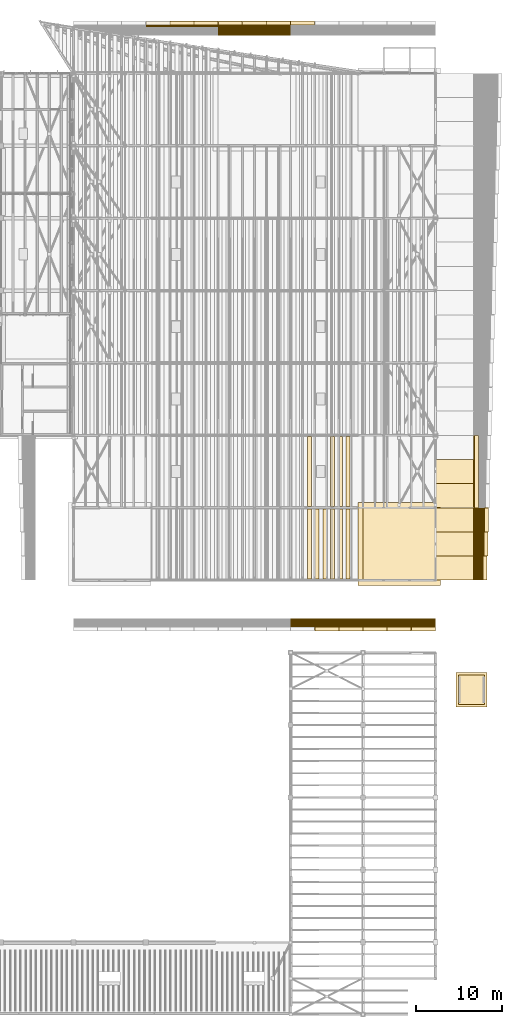
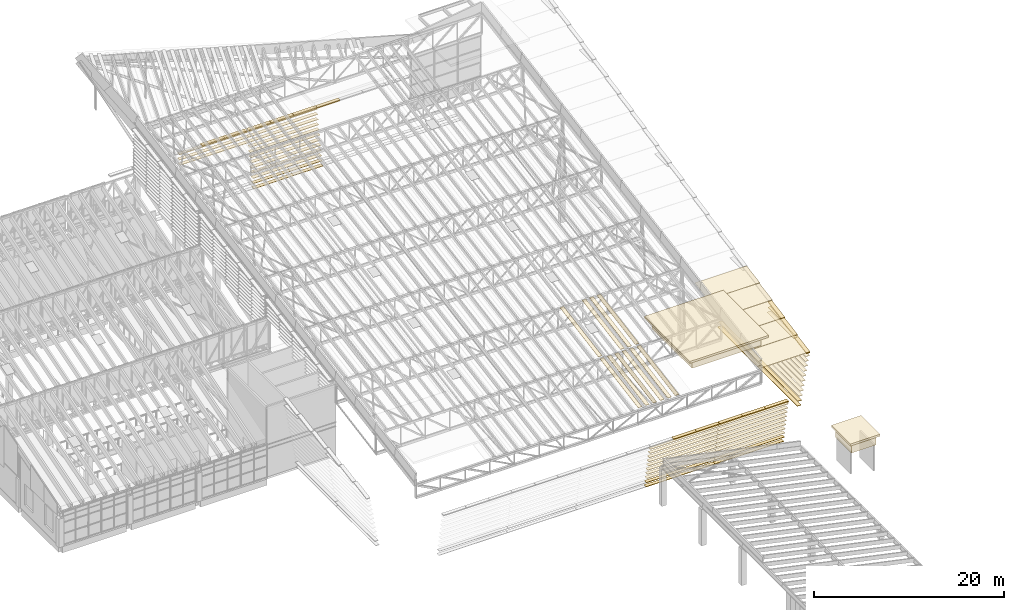
# One storey, part 87 of 91: 83 coverings.
"""IFC4 building model written with IfcOpenShell, lengths in metres."""

from ifc_helpers import new_model, si_unit, direction, frame, origin, origin_2d, place, context, subcontext, project, spatial, polyline, rectangle, outline, extrude, material, layer, layer_set, material_profile, profile_set, type_object, element, save


model = new_model("IFC4")

# Units and contexts
model_context = context("Model", 3, precision=1e-05, world=origin(), true_north=direction((0.0, 1.0)))
body_context = subcontext(model_context, "Body", "Model", "MODEL_VIEW")
ifc_project = project(units=[si_unit("LENGTHUNIT", "METRE"), si_unit("AREAUNIT", "SQUARE_METRE"), si_unit("VOLUMEUNIT", "CUBIC_METRE"), si_unit("PLANEANGLEUNIT", "RADIAN"), si_unit("MASSUNIT", "GRAM", prefix="KILO")], contexts=[model_context])

# Site, building, storey
site_placement = place(None, origin())
site = spatial("IfcSite", under=ifc_project, at=site_placement, CompositionType="ELEMENT")
building_placement = place(site_placement, origin())
building = spatial("IfcBuilding", under=site, at=building_placement, Name="Almond Square Museum", CompositionType="ELEMENT")
storey_placement = place(building_placement, frame((0.0, 0.0, 30.0)))
storey = spatial("IfcBuildingStorey", under=building, at=storey_placement, Name="L05", CompositionType="ELEMENT", Elevation=30.0)

# Coverings
ifc_material_1 = material(Name="Cedar timber roof board", Category="wood")
ifc_layer_1 = layer(ifc_material_1, 0.0400390625)
ifc_layer_set_1 = layer_set([ifc_layer_1], Name="Cedar timber roof board")
covering_type_1 = type_object("IfcCoveringType", Name="Hall roof board 450 x 40", PredefinedType="CLADDING", material=ifc_layer_set_1)
for number, where, z_axis, x_axis, name in (
    (1, (134.39990234375, 58.64990234375, 7.943603515625), (0.0, -0.172352243822, 0.985035382131), (-1.0, 0.0, 0.0), "Hall roof board"),
    (2, (135.300048828125, 58.64990234375, 7.943603515625), (0.0, -0.172352243822, 0.985035382131), (-1.0, 0.0, 0.0), "Hall roof board"),
    (3, (136.199951171875, 58.64990234375, 7.943603515625), (0.0, -0.172352243822, 0.985035382131), (-1.0, 0.0, 0.0), "Hall roof board"),
):
    element("IfcCovering", number, at=place(storey_placement, frame(where, z_axis=z_axis, x_axis=x_axis)), inside=storey, type_object=covering_type_1, Name=name, PredefinedType="CLADDING", context=body_context, shape_type="SweptSolid", body=[
        extrude(outline(polyline([(0.0, 0.0), (0.449951171875, 0.0), (0.449951171875, 8.222906164145368), (0.0, 8.222906164145368), (0.0, 0.0)])), origin(), (0.0, 0.0, 1.0), 0.0400390625),
    ])
covering_1_placement = place(storey_placement, frame((137.10009765625, 58.64990234375, 7.94384765625), z_axis=(-0.00026709133, -0.172366641793, 0.98503282659), x_axis=(-0.999999959962, -4.6037631e-05, -0.00027920559)))
element("IfcCovering", 4, at=covering_1_placement, inside=storey, type_object=covering_type_1, Name="Hall roof board", PredefinedType="CLADDING", context=body_context, shape_type="SweptSolid", body=[
    extrude(outline(polyline([(0.0, 0.0), (0.4501953626406814, 6.776263578034403e-21), (0.4509639610094746, 8.22290612734561), (0.0007686665342204885, 8.22294820904058), (0.0, 0.0)])), origin(), (0.0, 0.0, 1.0), 0.0400390625),
])
for number, where, z_axis, x_axis, name in (
    (5, (138.0, 58.64990234375, 7.94384765625), (0.0, -0.17238105195, 0.985030341121), (-1.0, 0.0, 0.0), "Hall roof board"),
    (6, (138.89990234375, 58.64990234375, 7.94384765625), (0.0, -0.17238105195, 0.985030341121), (-1.0, 0.0, 0.0), "Hall roof board"),
):
    element("IfcCovering", number, at=place(storey_placement, frame(where, z_axis=z_axis, x_axis=x_axis)), inside=storey, type_object=covering_type_1, Name=name, PredefinedType="CLADDING", context=body_context, shape_type="SweptSolid", body=[
        extrude(outline(polyline([(0.0, 0.0), (0.449951171875, 0.0), (0.449951171875, 8.22294824584652), (0.0, 8.22294824584652), (0.0, 0.0)])), origin(), (0.0, 0.0, 1.0), 0.0400390625),
    ])
covering_2_placement = place(storey_placement, frame((134.39990234375, 67.050048828125, 9.413818359375), z_axis=(0.0, -0.17237601069, 0.985031223332), x_axis=(-1.0, 0.0, 0.0)))
element("IfcCovering", 7, at=covering_2_placement, inside=storey, type_object=covering_type_1, Name="Hall roof board", PredefinedType="CLADDING", context=body_context, shape_type="SweptSolid", body=[
    extrude(outline(polyline([(0.0, 0.0), (0.449951171875, 0.0), (0.449951171875, 8.223188731877341), (0.0, 8.223188731877341), (0.0, 0.0)])), origin(), (0.0, 0.0, 1.0), 0.0400390625),
])
covering_3_placement = place(storey_placement, frame((137.10009765625, 67.050048828125, 9.413818359375), z_axis=(0.0, -0.17237601069, 0.985031223332), x_axis=(-1.0, 0.0, 0.0)))
element("IfcCovering", 8, at=covering_3_placement, inside=storey, type_object=covering_type_1, Name="Hall roof board", PredefinedType="CLADDING", context=body_context, shape_type="SweptSolid", body=[
    extrude(outline(polyline([(0.0, 0.0), (0.4501953125, 0.0), (0.4501953125, 8.223188731877341), (0.0, 8.223188731877341), (0.0, 0.0)])), origin(), (0.0, 0.0, 1.0), 0.0400390625),
])
for number, where, z_axis, x_axis, name in (
    (9, (138.0, 67.050048828125, 9.413818359375), (0.0, -0.17237601069, 0.985031223332), (-1.0, 0.0, 0.0), "Hall roof board"),
    (10, (138.89990234375, 67.050048828125, 9.413818359375), (0.0, -0.17237601069, 0.985031223332), (-1.0, 0.0, 0.0), "Hall roof board"),
):
    element("IfcCovering", number, at=place(storey_placement, frame(where, z_axis=z_axis, x_axis=x_axis)), inside=storey, type_object=covering_type_1, Name=name, PredefinedType="CLADDING", context=body_context, shape_type="SweptSolid", body=[
        extrude(outline(polyline([(0.0, 0.0), (0.449951171875, 0.0), (0.449951171875, 8.223188731877341), (0.0, 8.223188731877341), (0.0, 0.0)])), origin(), (0.0, 0.0, 1.0), 0.0400390625),
    ])
ifc_material_2 = material(Name="Steel S355 deck with zinc standing seam", Category="steel")
ifc_layer_2 = layer(ifc_material_2, 0.25)
ifc_layer_set_2 = layer_set([ifc_layer_2], Name="Steel S355 deck with zinc standing seam")
covering_type_2 = type_object("IfcCoveringType", Name="Head house cap, steel and zinc", PredefinedType="CLADDING", material=ifc_layer_set_2)
covering_4_placement = place(storey_placement, frame((153.0, 37.699951171875, 4.612548828125), z_axis=(0.0, 0.0, 1.0), x_axis=(1.0, 0.0, 0.0)))
element("IfcCovering", 11, at=covering_4_placement, inside=storey, type_object=covering_type_2, Name="Head house roof cap X1", PredefinedType="CLADDING", context=body_context, shape_type="SweptSolid", body=[
    extrude(rectangle(XDim=3.60009765625, YDim=4.0, at=origin_2d()), origin(), (0.0, 0.0, 1.0), 0.25),
])
ifc_material_3 = material(Name="Timber deck and zinc standing seam", Category="wood")
ifc_layer_3 = layer(ifc_material_3, 0.25)
ifc_layer_set_3 = layer_set([ifc_layer_3], Name="Timber deck and zinc standing seam")
covering_type_3 = type_object("IfcCoveringType", Name="Head house cap, timber and zinc", PredefinedType="CLADDING", material=ifc_layer_set_3)
covering_5_placement = place(storey_placement, frame((144.60009765625, 54.60009765625, 10.669921875), z_axis=(0.0, 0.0, 1.0), x_axis=(1.0, 0.0, 0.0)))
element("IfcCovering", 12, at=covering_5_placement, inside=storey, type_object=covering_type_3, Name="Head house roof cap H2", PredefinedType="CLADDING", context=body_context, shape_type="SweptSolid", body=[
    extrude(rectangle(XDim=9.60009765625, YDim=9.60009765625, at=origin_2d()), origin(), (0.0, 0.0, 1.0), 0.25),
])
ifc_material_4 = material(Name="Zinc standing seam cladding")
ifc_layer_4 = layer(ifc_material_4, 1.199951171875)
ifc_layer_set_4 = layer_set([ifc_layer_4], Name="Zinc standing seam cladding")
covering_type_4 = type_object("IfcCoveringType", Name="Lift overrun cladding 1200", PredefinedType="CLADDING", material=ifc_layer_set_4)
covering_6_placement = place(storey_placement, frame((144.60009765625, 54.60009765625, 9.47021484375), z_axis=(0.0, 0.0, 1.0), x_axis=(1.0, 0.0, 0.0)))
element("IfcCovering", 13, at=covering_6_placement, inside=storey, type_object=covering_type_4, Name="Lift overrun cladding H2", PredefinedType="CLADDING", context=body_context, shape_type="SweptSolid", body=[
    extrude(rectangle(XDim=8.39990234375, YDim=8.39990234375, at=origin_2d()), origin(), (0.0, 0.0, 1.0), 1.199951171875),
])
covering_7_placement = place(storey_placement, frame((153.0, 37.699951171875, 3.41259765625), z_axis=(0.0, 0.0, 1.0), x_axis=(1.0, 0.0, 0.0)))
element("IfcCovering", 14, at=covering_7_placement, inside=storey, type_object=covering_type_4, Name="Lift overrun cladding X1", PredefinedType="CLADDING", context=body_context, shape_type="SweptSolid", body=[
    extrude(rectangle(XDim=3.0, YDim=3.39990234375, at=origin_2d()), origin(), (0.0, 0.0, 1.0), 1.199951171875),
])
ifc_material_5 = material(Name="Cedar timber louvre board", Category="wood")
ifc_material_profile_1 = material_profile(ifc_material_5, rectangle(XDim=0.449951171875, YDim=0.050048828125, at=origin_2d()))
ifc_profile_set_1 = profile_set([ifc_material_profile_1], Name="Cedar timber louvre board")
covering_type_5 = type_object("IfcCoveringType", Name="Louvre board 450 x 50", PredefinedType="CLADDING", material=ifc_profile_set_1)
covering_8_placement = place(storey_placement, frame((132.0, 45.755859375, 0.10009765625), z_axis=(1.0, 0.0, 0.0), x_axis=(0.0, 1.0, 0.0)))
element("IfcCovering", 15, at=covering_8_placement, inside=storey, type_object=covering_type_5, Name="Louvre board S39.04", PredefinedType="CLADDING", context=body_context, shape_type="SweptSolid", body=[
    extrude(rectangle(XDim=0.449951171875, YDim=0.050048828125, at=origin_2d()), origin(), (0.0, 0.0, 1.0), 8.39990234375),
])
covering_9_placement = place(storey_placement, frame((140.39990234375, 45.755859375, 0.10009765625), z_axis=(1.0, 0.0, 0.0), x_axis=(0.0, 1.0, 0.0)))
element("IfcCovering", 16, at=covering_9_placement, inside=storey, type_object=covering_type_5, Name="Louvre board S39.05", PredefinedType="CLADDING", context=body_context, shape_type="SweptSolid", body=[
    extrude(rectangle(XDim=0.449951171875, YDim=0.050048828125, at=origin_2d()), origin(), (0.0, 0.0, 1.0), 8.400146484375),
])
covering_10_placement = place(storey_placement, frame((132.0, 45.650146484375, 0.699951171875), z_axis=(1.0, 0.0, 0.0), x_axis=(0.0, 1.0, 0.0)))
element("IfcCovering", 17, at=covering_10_placement, inside=storey, type_object=covering_type_5, Name="Louvre board S40.04", PredefinedType="CLADDING", context=body_context, shape_type="SweptSolid", body=[
    extrude(rectangle(XDim=0.449951171875, YDim=0.050048828125, at=origin_2d()), origin(), (0.0, 0.0, 1.0), 8.39990234375),
])
covering_11_placement = place(storey_placement, frame((140.39990234375, 45.650146484375, 0.699951171875), z_axis=(1.0, 0.0, 0.0), x_axis=(0.0, 1.0, 0.0)))
element("IfcCovering", 18, at=covering_11_placement, inside=storey, type_object=covering_type_5, Name="Louvre board S40.05", PredefinedType="CLADDING", context=body_context, shape_type="SweptSolid", body=[
    extrude(rectangle(XDim=0.449951171875, YDim=0.050048828125, at=origin_2d()), origin(), (0.0, 0.0, 1.0), 8.400146484375),
])
covering_12_placement = place(storey_placement, frame((132.0, 45.54443359375, 1.300048828125), z_axis=(1.0, 0.0, 0.0), x_axis=(0.0, 1.0, 0.0)))
element("IfcCovering", 19, at=covering_12_placement, inside=storey, type_object=covering_type_5, Name="Louvre board S41.04", PredefinedType="CLADDING", context=body_context, shape_type="SweptSolid", body=[
    extrude(rectangle(XDim=0.449951171875, YDim=0.050048828125, at=origin_2d()), origin(), (0.0, 0.0, 1.0), 8.39990234375),
])
covering_13_placement = place(storey_placement, frame((140.39990234375, 45.54443359375, 1.300048828125), z_axis=(1.0, 0.0, 0.0), x_axis=(0.0, 1.0, 0.0)))
element("IfcCovering", 20, at=covering_13_placement, inside=storey, type_object=covering_type_5, Name="Louvre board S41.05", PredefinedType="CLADDING", context=body_context, shape_type="SweptSolid", body=[
    extrude(rectangle(XDim=0.449951171875, YDim=0.050048828125, at=origin_2d()), origin(), (0.0, 0.0, 1.0), 8.400146484375),
])
covering_14_placement = place(storey_placement, frame((132.0, 45.4384765625, 1.89990234375), z_axis=(1.0, 0.0, 0.0), x_axis=(0.0, 1.0, 0.0)))
element("IfcCovering", 21, at=covering_14_placement, inside=storey, type_object=covering_type_5, Name="Louvre board S42.04", PredefinedType="CLADDING", context=body_context, shape_type="SweptSolid", body=[
    extrude(rectangle(XDim=0.449951171875, YDim=0.050048828125, at=origin_2d()), origin(), (0.0, 0.0, 1.0), 8.39990234375),
])
covering_15_placement = place(storey_placement, frame((140.39990234375, 45.4384765625, 1.89990234375), z_axis=(1.0, 0.0, 0.0), x_axis=(0.0, 1.0, 0.0)))
element("IfcCovering", 22, at=covering_15_placement, inside=storey, type_object=covering_type_5, Name="Louvre board S42.05", PredefinedType="CLADDING", context=body_context, shape_type="SweptSolid", body=[
    extrude(rectangle(XDim=0.449951171875, YDim=0.050048828125, at=origin_2d()), origin(), (0.0, 0.0, 1.0), 8.400146484375),
])
covering_16_placement = place(storey_placement, frame((132.0, 45.332763671875, 2.5), z_axis=(1.0, 0.0, 0.0), x_axis=(0.0, 1.0, 0.0)))
element("IfcCovering", 23, at=covering_16_placement, inside=storey, type_object=covering_type_5, Name="Louvre board S43.04", PredefinedType="CLADDING", context=body_context, shape_type="SweptSolid", body=[
    extrude(rectangle(XDim=0.449951171875, YDim=0.050048828125, at=origin_2d()), origin(), (0.0, 0.0, 1.0), 8.39990234375),
])
covering_17_placement = place(storey_placement, frame((140.39990234375, 45.332763671875, 2.5), z_axis=(1.0, 0.0, 0.0), x_axis=(0.0, 1.0, 0.0)))
element("IfcCovering", 24, at=covering_17_placement, inside=storey, type_object=covering_type_5, Name="Louvre board S43.05", PredefinedType="CLADDING", context=body_context, shape_type="SweptSolid", body=[
    extrude(rectangle(XDim=0.449951171875, YDim=0.050048828125, at=origin_2d()), origin(), (0.0, 0.0, 1.0), 8.400146484375),
])
covering_18_placement = place(storey_placement, frame((132.0, 45.226806640625, 3.10009765625), z_axis=(1.0, 0.0, 0.0), x_axis=(0.0, 1.0, 0.0)))
element("IfcCovering", 25, at=covering_18_placement, inside=storey, type_object=covering_type_5, Name="Louvre board S44.04", PredefinedType="CLADDING", context=body_context, shape_type="SweptSolid", body=[
    extrude(rectangle(XDim=0.449951171875, YDim=0.050048828125, at=origin_2d()), origin(), (0.0, 0.0, 1.0), 8.39990234375),
])
covering_19_placement = place(storey_placement, frame((140.39990234375, 45.226806640625, 3.10009765625), z_axis=(1.0, 0.0, 0.0), x_axis=(0.0, 1.0, 0.0)))
element("IfcCovering", 26, at=covering_19_placement, inside=storey, type_object=covering_type_5, Name="Louvre board S44.05", PredefinedType="CLADDING", context=body_context, shape_type="SweptSolid", body=[
    extrude(rectangle(XDim=0.449951171875, YDim=0.050048828125, at=origin_2d()), origin(), (0.0, 0.0, 1.0), 8.400146484375),
])
covering_20_placement = place(storey_placement, frame((132.0, 45.12109375, 3.699951171875), z_axis=(1.0, 0.0, 0.0), x_axis=(0.0, 1.0, 0.0)))
element("IfcCovering", 27, at=covering_20_placement, inside=storey, type_object=covering_type_5, Name="Louvre board S45.04", PredefinedType="CLADDING", context=body_context, shape_type="SweptSolid", body=[
    extrude(rectangle(XDim=0.449951171875, YDim=0.050048828125, at=origin_2d()), origin(), (0.0, 0.0, 1.0), 8.39990234375),
])
covering_21_placement = place(storey_placement, frame((140.39990234375, 45.12109375, 3.699951171875), z_axis=(1.0, 0.0, 0.0), x_axis=(0.0, 1.0, 0.0)))
element("IfcCovering", 28, at=covering_21_placement, inside=storey, type_object=covering_type_5, Name="Louvre board S45.05", PredefinedType="CLADDING", context=body_context, shape_type="SweptSolid", body=[
    extrude(rectangle(XDim=0.449951171875, YDim=0.050048828125, at=origin_2d()), origin(), (0.0, 0.0, 1.0), 8.400146484375),
])
covering_22_placement = place(storey_placement, frame((132.0, 45.015380859375, 4.300048828125), z_axis=(1.0, 0.0, 0.0), x_axis=(0.0, 1.0, 0.0)))
element("IfcCovering", 29, at=covering_22_placement, inside=storey, type_object=covering_type_5, Name="Louvre board S46.04", PredefinedType="CLADDING", context=body_context, shape_type="SweptSolid", body=[
    extrude(rectangle(XDim=0.449951171875, YDim=0.050048828125, at=origin_2d()), origin(), (0.0, 0.0, 1.0), 8.39990234375),
])
covering_23_placement = place(storey_placement, frame((140.39990234375, 45.015380859375, 4.300048828125), z_axis=(1.0, 0.0, 0.0), x_axis=(0.0, 1.0, 0.0)))
element("IfcCovering", 30, at=covering_23_placement, inside=storey, type_object=covering_type_5, Name="Louvre board S46.05", PredefinedType="CLADDING", context=body_context, shape_type="SweptSolid", body=[
    extrude(rectangle(XDim=0.449951171875, YDim=0.050048828125, at=origin_2d()), origin(), (0.0, 0.0, 1.0), 8.400146484375),
])
covering_24_placement = place(storey_placement, frame((132.0, 44.909423828125, 4.89990234375), z_axis=(1.0, 0.0, 0.0), x_axis=(0.0, 1.0, 0.0)))
element("IfcCovering", 31, at=covering_24_placement, inside=storey, type_object=covering_type_5, Name="Louvre board S47.04", PredefinedType="CLADDING", context=body_context, shape_type="SweptSolid", body=[
    extrude(rectangle(XDim=0.449951171875, YDim=0.050048828125, at=origin_2d()), origin(), (0.0, 0.0, 1.0), 8.39990234375),
])
covering_25_placement = place(storey_placement, frame((140.39990234375, 44.909423828125, 4.89990234375), z_axis=(1.0, 0.0, 0.0), x_axis=(0.0, 1.0, 0.0)))
element("IfcCovering", 32, at=covering_25_placement, inside=storey, type_object=covering_type_5, Name="Louvre board S47.05", PredefinedType="CLADDING", context=body_context, shape_type="SweptSolid", body=[
    extrude(rectangle(XDim=0.449951171875, YDim=0.050048828125, at=origin_2d()), origin(), (0.0, 0.0, 1.0), 8.400146484375),
])
covering_26_placement = place(storey_placement, frame((132.0, 44.8037109375, 5.5), z_axis=(1.0, 0.0, 0.0), x_axis=(0.0, 1.0, 0.0)))
element("IfcCovering", 33, at=covering_26_placement, inside=storey, type_object=covering_type_5, Name="Louvre board S48.04", PredefinedType="CLADDING", context=body_context, shape_type="SweptSolid", body=[
    extrude(rectangle(XDim=0.449951171875, YDim=0.050048828125, at=origin_2d()), origin(), (0.0, 0.0, 1.0), 8.39990234375),
])
covering_27_placement = place(storey_placement, frame((140.39990234375, 44.8037109375, 5.5), z_axis=(1.0, 0.0, 0.0), x_axis=(0.0, 1.0, 0.0)))
element("IfcCovering", 34, at=covering_27_placement, inside=storey, type_object=covering_type_5, Name="Louvre board S48.05", PredefinedType="CLADDING", context=body_context, shape_type="SweptSolid", body=[
    extrude(rectangle(XDim=0.449951171875, YDim=0.050048828125, at=origin_2d()), origin(), (0.0, 0.0, 1.0), 8.400146484375),
])
for number, where, z_axis, x_axis, name in (
    (35, (123.60009765625, 113.843994140625, 0.10009765625), (1.0, 0.0, 0.0), (0.0, 1.0, 0.0), "Louvre board N39.03"),
    (36, (123.60009765625, 113.949951171875, 0.699951171875), (1.0, 0.0, 0.0), (0.0, 1.0, 0.0), "Louvre board N40.03"),
    (37, (123.60009765625, 114.0556640625, 1.300048828125), (1.0, 0.0, 0.0), (0.0, 1.0, 0.0), "Louvre board N41.03"),
    (38, (123.60009765625, 114.161376953125, 1.89990234375), (1.0, 0.0, 0.0), (0.0, 1.0, 0.0), "Louvre board N42.03"),
    (39, (123.60009765625, 114.267333984375, 2.5), (1.0, 0.0, 0.0), (0.0, 1.0, 0.0), "Louvre board N43.03"),
    (40, (123.60009765625, 114.373046875, 3.10009765625), (1.0, 0.0, 0.0), (0.0, 1.0, 0.0), "Louvre board N44.03"),
    (41, (123.60009765625, 114.478759765625, 3.699951171875), (1.0, 0.0, 0.0), (0.0, 1.0, 0.0), "Louvre board N45.03"),
    (42, (123.60009765625, 114.584716796875, 4.300048828125), (1.0, 0.0, 0.0), (0.0, 1.0, 0.0), "Louvre board N46.03"),
    (43, (123.60009765625, 114.6904296875, 4.89990234375), (1.0, 0.0, 0.0), (0.0, 1.0, 0.0), "Louvre board N47.03"),
):
    element("IfcCovering", number, at=place(storey_placement, frame(where, z_axis=z_axis, x_axis=x_axis)), inside=storey, type_object=covering_type_5, Name=name, PredefinedType="CLADDING", context=body_context, shape_type="SweptSolid", body=[
        extrude(rectangle(XDim=0.449951171875, YDim=0.050048828125, at=origin_2d()), origin(), (0.0, 0.0, 1.0), 8.39990234375),
    ])
covering_28_placement = place(storey_placement, frame((115.199951171875, 114.796142578125, 5.5), z_axis=(1.0, 0.0, 0.0), x_axis=(0.0, 1.0, 0.0)))
element("IfcCovering", 44, at=covering_28_placement, inside=storey, type_object=covering_type_5, Name="Louvre board N48.02", PredefinedType="CLADDING", context=body_context, shape_type="SweptSolid", body=[
    extrude(rectangle(XDim=0.449951171875, YDim=0.050048828125, at=origin_2d()), origin(), (0.0, 0.0, 1.0), 8.400146484375),
])
covering_29_placement = place(storey_placement, frame((123.60009765625, 114.796142578125, 5.5), z_axis=(1.0, 0.0, 0.0), x_axis=(0.0, 1.0, 0.0)))
element("IfcCovering", 45, at=covering_29_placement, inside=storey, type_object=covering_type_5, Name="Louvre board N48.03", PredefinedType="CLADDING", context=body_context, shape_type="SweptSolid", body=[
    extrude(rectangle(XDim=0.449951171875, YDim=0.050048828125, at=origin_2d()), origin(), (0.0, 0.0, 1.0), 8.39990234375),
])
covering_30_placement = place(storey_placement, frame((115.199951171875, 114.902099609375, 6.10009765625), z_axis=(1.0, 0.0, 0.0), x_axis=(0.0, 1.0, 0.0)))
element("IfcCovering", 46, at=covering_30_placement, inside=storey, type_object=covering_type_5, Name="Louvre board N49.02", PredefinedType="CLADDING", context=body_context, shape_type="SweptSolid", body=[
    extrude(rectangle(XDim=0.449951171875, YDim=0.050048828125, at=origin_2d()), origin(), (0.0, 0.0, 1.0), 8.400146484375),
])
covering_31_placement = place(storey_placement, frame((123.60009765625, 114.902099609375, 6.10009765625), z_axis=(1.0, 0.0, 0.0), x_axis=(0.0, 1.0, 0.0)))
element("IfcCovering", 47, at=covering_31_placement, inside=storey, type_object=covering_type_5, Name="Louvre board N49.03", PredefinedType="CLADDING", context=body_context, shape_type="SweptSolid", body=[
    extrude(rectangle(XDim=0.449951171875, YDim=0.050048828125, at=origin_2d()), origin(), (0.0, 0.0, 1.0), 8.39990234375),
])
covering_32_placement = place(storey_placement, frame((115.199951171875, 115.0078125, 6.699951171875), z_axis=(1.0, 0.0, 0.0), x_axis=(0.0, 1.0, 0.0)))
element("IfcCovering", 48, at=covering_32_placement, inside=storey, type_object=covering_type_5, Name="Louvre board N50.02", PredefinedType="CLADDING", context=body_context, shape_type="SweptSolid", body=[
    extrude(rectangle(XDim=0.449951171875, YDim=0.050048828125, at=origin_2d()), origin(), (0.0, 0.0, 1.0), 8.400146484375),
])
covering_33_placement = place(storey_placement, frame((123.60009765625, 115.0078125, 6.699951171875), z_axis=(1.0, 0.0, 0.0), x_axis=(0.0, 1.0, 0.0)))
element("IfcCovering", 49, at=covering_33_placement, inside=storey, type_object=covering_type_5, Name="Louvre board N50.03", PredefinedType="CLADDING", context=body_context, shape_type="SweptSolid", body=[
    extrude(rectangle(XDim=0.449951171875, YDim=0.050048828125, at=origin_2d()), origin(), (0.0, 0.0, 1.0), 8.39990234375),
])
covering_34_placement = place(storey_placement, frame((153.444091796875, 50.39990234375, 0.10009765625), z_axis=(0.0, 1.0, 0.0), x_axis=(-1.0, 0.0, 0.0)))
element("IfcCovering", 50, at=covering_34_placement, inside=storey, type_object=covering_type_5, Name="Louvre board E13.01", PredefinedType="CLADDING", context=body_context, shape_type="SweptSolid", body=[
    extrude(rectangle(XDim=0.449951171875, YDim=0.050048828125, at=origin_2d()), origin(), (0.0, 0.0, 1.0), 8.400146484375),
])
covering_35_placement = place(storey_placement, frame((153.444091796875, 58.800048828125, 0.10009765625), z_axis=(0.0, 1.0, 0.0), x_axis=(-1.0, 0.0, 0.0)))
element("IfcCovering", 51, at=covering_35_placement, inside=storey, type_object=covering_type_5, Name="Louvre board E13.02", PredefinedType="CLADDING", context=body_context, shape_type="SweptSolid", body=[
    extrude(rectangle(XDim=0.449951171875, YDim=0.050048828125, at=origin_2d()), origin(), (0.0, 0.0, 1.0), 8.39990234375),
])
covering_36_placement = place(storey_placement, frame((153.5498046875, 50.39990234375, 0.699951171875), z_axis=(0.0, 1.0, 0.0), x_axis=(-1.0, 0.0, 0.0)))
element("IfcCovering", 52, at=covering_36_placement, inside=storey, type_object=covering_type_5, Name="Louvre board E14.01", PredefinedType="CLADDING", context=body_context, shape_type="SweptSolid", body=[
    extrude(rectangle(XDim=0.449951171875, YDim=0.050048828125, at=origin_2d()), origin(), (0.0, 0.0, 1.0), 8.400146484375),
])
covering_37_placement = place(storey_placement, frame((153.5498046875, 58.800048828125, 0.699951171875), z_axis=(0.0, 1.0, 0.0), x_axis=(-1.0, 0.0, 0.0)))
element("IfcCovering", 53, at=covering_37_placement, inside=storey, type_object=covering_type_5, Name="Louvre board E14.02", PredefinedType="CLADDING", context=body_context, shape_type="SweptSolid", body=[
    extrude(rectangle(XDim=0.449951171875, YDim=0.050048828125, at=origin_2d()), origin(), (0.0, 0.0, 1.0), 8.39990234375),
])
for number, where, z_axis, x_axis, name in (
    (54, (153.65576171875, 50.39990234375, 1.300048828125), (0.0, 1.0, 0.0), (-1.0, 0.0, 0.0), "Louvre board E15.01"),
    (55, (153.761474609375, 50.39990234375, 1.89990234375), (0.0, 1.0, 0.0), (-1.0, 0.0, 0.0), "Louvre board E16.01"),
    (56, (153.8671875, 50.39990234375, 2.5), (0.0, 1.0, 0.0), (-1.0, 0.0, 0.0), "Louvre board E17.01"),
    (57, (153.97314453125, 50.39990234375, 3.10009765625), (0.0, 1.0, 0.0), (-1.0, 0.0, 0.0), "Louvre board E18.01"),
    (58, (154.078857421875, 50.39990234375, 3.699951171875), (0.0, 1.0, 0.0), (-1.0, 0.0, 0.0), "Louvre board E19.01"),
    (59, (154.1845703125, 50.39990234375, 4.300048828125), (0.0, 1.0, 0.0), (-1.0, 0.0, 0.0), "Louvre board E20.01"),
    (60, (154.29052734375, 50.39990234375, 4.89990234375), (0.0, 1.0, 0.0), (-1.0, 0.0, 0.0), "Louvre board E21.01"),
    (61, (154.396240234375, 50.39990234375, 5.5), (0.0, 1.0, 0.0), (-1.0, 0.0, 0.0), "Louvre board E22.01"),
    (62, (154.501953125, 50.39990234375, 6.10009765625), (0.0, 1.0, 0.0), (-1.0, 0.0, 0.0), "Louvre board E23.01"),
):
    element("IfcCovering", number, at=place(storey_placement, frame(where, z_axis=z_axis, x_axis=x_axis)), inside=storey, type_object=covering_type_5, Name=name, PredefinedType="CLADDING", context=body_context, shape_type="SweptSolid", body=[
        extrude(rectangle(XDim=0.449951171875, YDim=0.050048828125, at=origin_2d()), origin(), (0.0, 0.0, 1.0), 8.400146484375),
    ])
covering_38_placement = place(storey_placement, frame((154.60791015625, 53.199951171875, 6.699951171875), z_axis=(0.0, 1.0, 0.0), x_axis=(-1.0, 0.0, 0.0)))
element("IfcCovering", 63, at=covering_38_placement, inside=storey, type_object=covering_type_5, Name="Louvre board E24.01", PredefinedType="CLADDING", context=body_context, shape_type="SweptSolid", body=[
    extrude(rectangle(XDim=0.449951171875, YDim=0.050048828125, at=origin_2d()), origin(), (0.0, 0.0, 1.0), 5.60009765625),
])
covering_39_placement = place(storey_placement, frame((154.713623046875, 56.0, 7.300048828125), z_axis=(0.0, 1.0, 0.0), x_axis=(-1.0, 0.0, 0.0)))
element("IfcCovering", 64, at=covering_39_placement, inside=storey, type_object=covering_type_5, Name="Louvre board E25.01", PredefinedType="CLADDING", context=body_context, shape_type="SweptSolid", body=[
    extrude(rectangle(XDim=0.449951171875, YDim=0.050048828125, at=origin_2d()), origin(), (0.0, 0.0, 1.0), 2.800048828125),
])
ifc_material_6 = material(Name="Cedar timber sheathing panel", Category="wood")
ifc_layer_5 = layer(ifc_material_6, 0.030029296875)
ifc_layer_set_5 = layer_set([ifc_layer_5], Name="Cedar timber sheathing panel")
covering_type_6 = type_object("IfcCoveringType", Name="Louvre rain-screen backing panel 30", PredefinedType="CLADDING", material=ifc_layer_set_5)
covering_40_placement = place(storey_placement, frame((148.85009765625, 50.409912109375, 6.570068359375), z_axis=(0.0, -0.172990854596, 0.984923430641), x_axis=(1.0, 0.0, 0.0)))
element("IfcCovering", 65, at=covering_40_placement, inside=storey, type_object=covering_type_6, Name="Louvre rain-screen backing panel return E01", PredefinedType="CLADDING", context=body_context, shape_type="SweptSolid", body=[
    extrude(outline(polyline([(0.0, 0.0), (5.944091796875, 0.0), (5.944091796875, 2.822584183082033), (0.0, 2.822584183082033), (0.0, 0.0)])), frame((0.0, 0.0, -0.01513671875)), (0.0, 0.0, 1.0), 0.030029296875),
])
covering_41_placement = place(storey_placement, frame((148.85009765625, 53.2099609375, 7.059814453125), z_axis=(0.0, -0.173074759692, 0.984908689959), x_axis=(1.0, 0.0, 0.0)))
element("IfcCovering", 66, at=covering_41_placement, inside=storey, type_object=covering_type_6, Name="Louvre rain-screen backing panel return E02", PredefinedType="CLADDING", context=body_context, shape_type="SweptSolid", body=[
    extrude(outline(polyline([(0.0, 0.0), (6.0302734375, 0.0), (6.0302734375, 2.822626427419791), (0.0, 2.822626427419791), (0.0, 0.0)])), frame((0.0, 0.0, -0.01513671875)), (0.0, 0.0, 1.0), 0.030029296875),
])
covering_42_placement = place(storey_placement, frame((148.85009765625, 56.010009765625, 7.5498046875), z_axis=(0.0, -0.173074759692, 0.984908689959), x_axis=(1.0, 0.0, 0.0)))
element("IfcCovering", 67, at=covering_42_placement, inside=storey, type_object=covering_type_6, Name="Louvre rain-screen backing panel return E03", PredefinedType="CLADDING", context=body_context, shape_type="SweptSolid", body=[
    extrude(outline(polyline([(0.0, 0.0), (6.11669921875, 0.0), (6.11669921875, 2.8226264274197916), (0.0, 2.8226264274197916), (0.0, 0.0)])), frame((0.0, 0.0, -0.01513671875)), (0.0, 0.0, 1.0), 0.030029296875),
])
covering_43_placement = place(storey_placement, frame((148.85009765625, 58.81005859375, 8.039794921875), z_axis=(0.0, -0.173074759692, 0.984908689959), x_axis=(1.0, 0.0, 0.0)))
element("IfcCovering", 68, at=covering_43_placement, inside=storey, type_object=covering_type_6, Name="Louvre rain-screen backing panel return E04", PredefinedType="CLADDING", context=body_context, shape_type="SweptSolid", body=[
    extrude(outline(polyline([(0.0, 0.0), (6.203125, 0.0), (6.203125, 2.822626427419791), (0.0, 2.822626427419791), (0.0, 0.0)])), frame((0.0, 0.0, -0.01513671875)), (0.0, 0.0, 1.0), 0.030029296875),
])
covering_44_placement = place(storey_placement, frame((148.85009765625, 61.610107421875, 8.52978515625), z_axis=(0.0, -0.173089504963, 0.984906098708), x_axis=(1.0, 0.0, 0.0)))
element("IfcCovering", 69, at=covering_44_placement, inside=storey, type_object=covering_type_6, Name="Louvre rain-screen backing panel return E05", PredefinedType="CLADDING", context=body_context, shape_type="SweptSolid", body=[
    extrude(outline(polyline([(0.0, 0.0), (6.28955078125, 0.0), (6.28955078125, 2.8223859715129587), (0.0, 2.8223859715129587), (0.0, 0.0)])), frame((0.0, 0.0, -0.01513671875)), (0.0, 0.0, 1.0), 0.030029296875),
])
ifc_material_7 = material(Name="Cedar timber louvre board", Category="wood")
ifc_material_profile_2 = material_profile(ifc_material_7, rectangle(XDim=0.449951171875, YDim=0.139892578125, at=origin_2d()))
ifc_profile_set_2 = profile_set([ifc_material_profile_2], Name="Cedar timber louvre board")
covering_type_7 = type_object("IfcCoveringType", Name="Louvre skin fascia 450 x 140", PredefinedType="CLADDING", material=ifc_profile_set_2)
covering_45_placement = place(storey_placement, frame((134.81005859375, 44.74560546875, 5.830078125), z_axis=(1.0, 0.0, 0.0), x_axis=(0.0, 1.0, 0.0)))
element("IfcCovering", 70, at=covering_45_placement, inside=storey, type_object=covering_type_7, Name="Louvre skin fascia S11", PredefinedType="CLADDING", context=body_context, shape_type="SweptSolid", body=[
    extrude(rectangle(XDim=0.449951171875, YDim=0.139892578125, at=origin_2d()), origin(), (0.0, 0.0, 1.0), 2.780029296875),
])
covering_46_placement = place(storey_placement, frame((137.610107421875, 44.74560546875, 5.830078125), z_axis=(1.0, 0.0, 0.0), x_axis=(0.0, 1.0, 0.0)))
element("IfcCovering", 71, at=covering_46_placement, inside=storey, type_object=covering_type_7, Name="Louvre skin fascia S12", PredefinedType="CLADDING", context=body_context, shape_type="SweptSolid", body=[
    extrude(rectangle(XDim=0.449951171875, YDim=0.139892578125, at=origin_2d()), origin(), (0.0, 0.0, 1.0), 2.77978515625),
])
for number, where, z_axis, x_axis, name in (
    (72, (140.409912109375, 44.74560546875, 5.830078125), (1.0, 0.0, 0.0), (0.0, 1.0, 0.0), "Louvre skin fascia S13"),
    (73, (143.2099609375, 44.74560546875, 5.830078125), (1.0, 0.0, 0.0), (0.0, 1.0, 0.0), "Louvre skin fascia S14"),
    (74, (146.010009765625, 44.74560546875, 5.830078125), (1.0, 0.0, 0.0), (0.0, 1.0, 0.0), "Louvre skin fascia S15"),
    (75, (118.010009765625, 115.03076171875, 6.830078125), (1.0, 0.0, 0.0), (0.0, 1.0, 0.0), "Louvre skin fascia N05"),
    (76, (120.81005859375, 115.03076171875, 6.830078125), (1.0, 0.0, 0.0), (0.0, 1.0, 0.0), "Louvre skin fascia N06"),
):
    element("IfcCovering", number, at=place(storey_placement, frame(where, z_axis=z_axis, x_axis=x_axis)), inside=storey, type_object=covering_type_7, Name=name, PredefinedType="CLADDING", context=body_context, shape_type="SweptSolid", body=[
        extrude(rectangle(XDim=0.449951171875, YDim=0.139892578125, at=origin_2d()), origin(), (0.0, 0.0, 1.0), 2.780029296875),
    ])
covering_47_placement = place(storey_placement, frame((123.610107421875, 115.03076171875, 6.830078125), z_axis=(1.0, 0.0, 0.0), x_axis=(0.0, 1.0, 0.0)))
element("IfcCovering", 77, at=covering_47_placement, inside=storey, type_object=covering_type_7, Name="Louvre skin fascia N07", PredefinedType="CLADDING", context=body_context, shape_type="SweptSolid", body=[
    extrude(rectangle(XDim=0.449951171875, YDim=0.139892578125, at=origin_2d()), origin(), (0.0, 0.0, 1.0), 2.77978515625),
])
for number, where, z_axis, x_axis, name in (
    (78, (126.409912109375, 115.03076171875, 6.830078125), (1.0, 0.0, 0.0), (0.0, 1.0, 0.0), "Louvre skin fascia N08"),
    (79, (129.2099609375, 115.03076171875, 6.830078125), (1.0, 0.0, 0.0), (0.0, 1.0, 0.0), "Louvre skin fascia N09"),
    (80, (132.010009765625, 115.03076171875, 6.830078125), (1.0, 0.0, 0.0), (0.0, 1.0, 0.0), "Louvre skin fascia N10"),
):
    element("IfcCovering", number, at=place(storey_placement, frame(where, z_axis=z_axis, x_axis=x_axis)), inside=storey, type_object=covering_type_7, Name=name, PredefinedType="CLADDING", context=body_context, shape_type="SweptSolid", body=[
        extrude(rectangle(XDim=0.449951171875, YDim=0.139892578125, at=origin_2d()), origin(), (0.0, 0.0, 1.0), 2.780029296875),
    ])
for number, where, z_axis, x_axis, name in (
    (81, (154.569091796875, 50.409912109375, 6.47998046875), (0.0, 0.984923430641, 0.172990854596), (-1.0, 0.0, 0.0), "Louvre skin fascia E01"),
    (82, (154.655517578125, 53.2099609375, 6.9697265625), (0.0, 0.984908689959, 0.173074759692), (-1.0, 0.0, 0.0), "Louvre skin fascia E02"),
    (83, (154.741943359375, 56.010009765625, 7.459716796875), (0.0, 0.984908689959, 0.173074759692), (-1.0, 0.0, 0.0), "Louvre skin fascia E03"),
):
    element("IfcCovering", number, at=place(storey_placement, frame(where, z_axis=z_axis, x_axis=x_axis)), inside=storey, type_object=covering_type_7, Name=name, PredefinedType="CLADDING", context=body_context, shape_type="SweptSolid", body=[
        extrude(rectangle(XDim=0.449951171875, YDim=0.139892578125, at=origin_2d()), origin(), (0.0, 0.0, 1.0), 2.822509765625),
    ])

save(model, "model.ifc")
